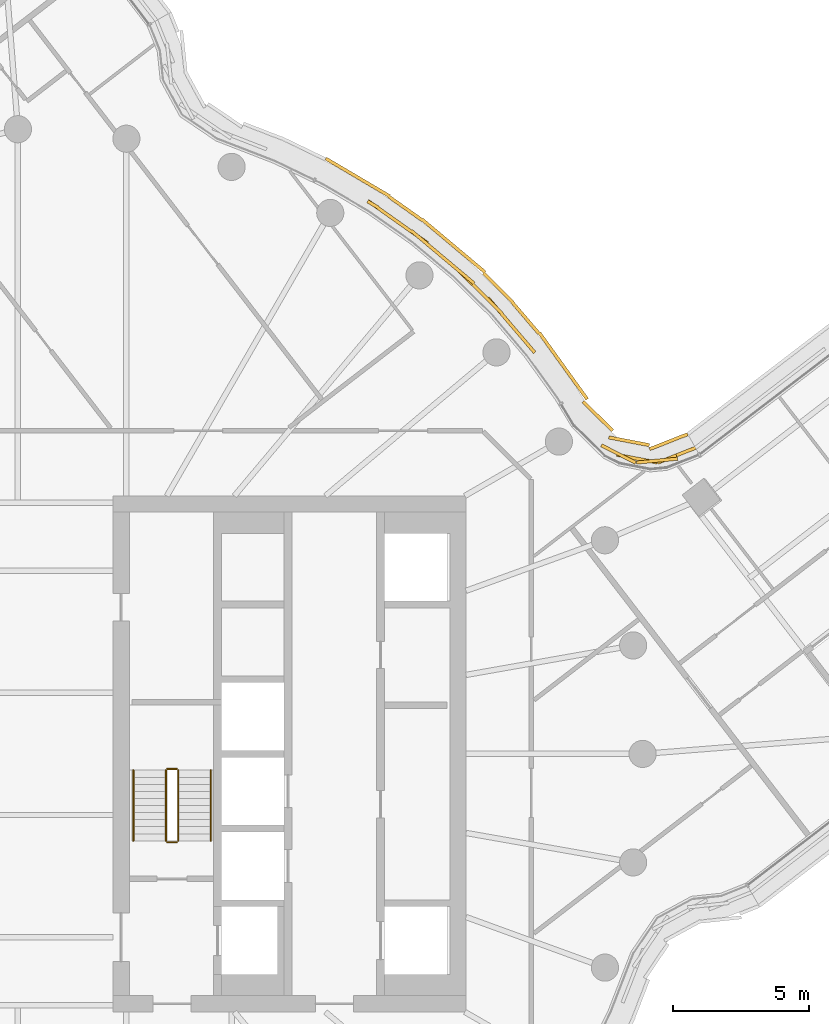
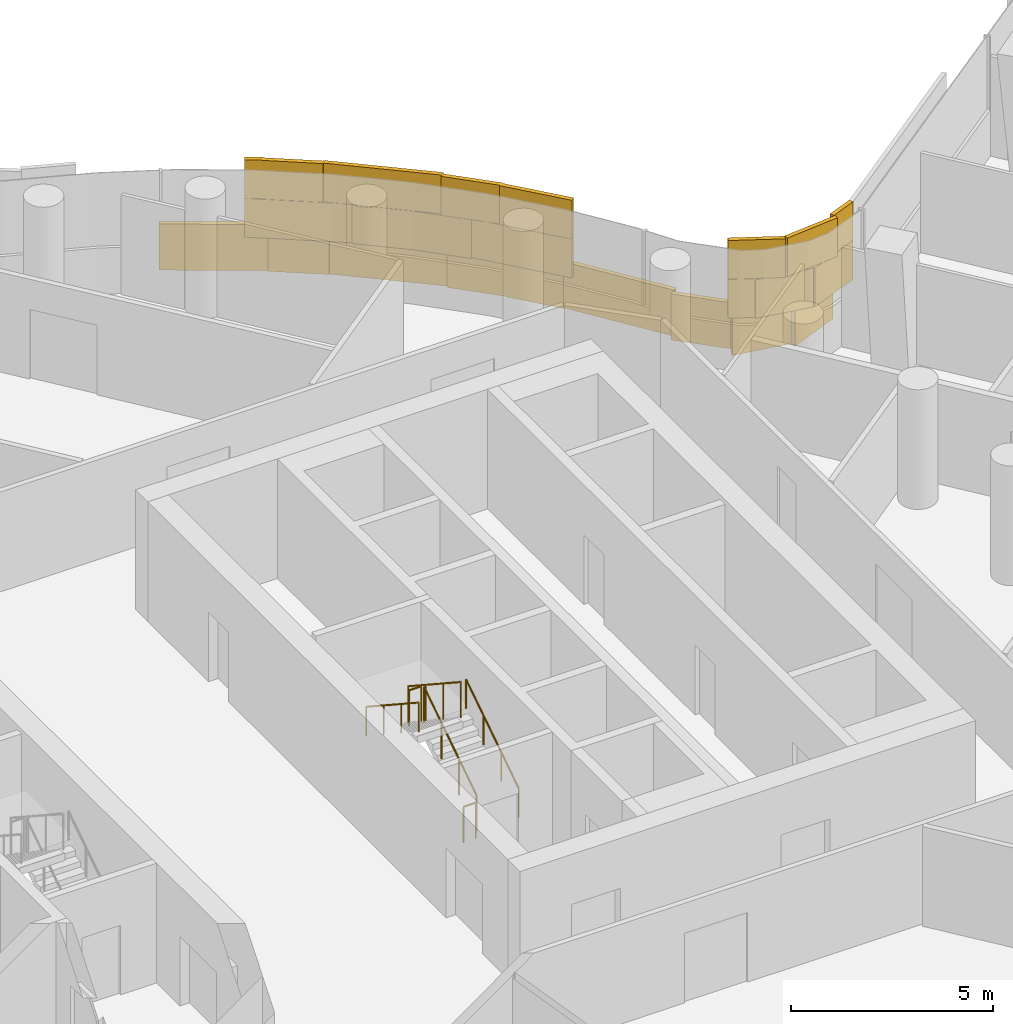
# One storey, part 30 of 33: 6 railings, 1 covering.
"""IFC4 building model written with IfcOpenShell, lengths in metres."""

import ifcopenshell
import ifcopenshell.guid

model = None  # the IFC model being written
_history = None  # IfcOwnerHistory: only IFC2X3 demands one
_inside = {}  # id of a spatial element -> (the spatial element, [elements in it])
_under = {}  # id of a project, library or spatial element -> (it, [spatial elements below it])
_declared = {}  # id of a project -> (the project, [libraries it declares])
_typed = {}  # id of a type object -> (the type object, [elements of that type])
_made_of = {}  # id of a material, layer set ... -> (it, [elements and type objects made of it])


def new_model(schema):
    """Start an empty IFC model of exactly this schema.

    Asked for "IFC4X3", IfcOpenShell would pick the latest addendum, in which some entities
    have other attributes; the version numbers below select the first issue.
    IFC2X3 requires an IfcOwnerHistory on every rooted entity: one is made here for all.
    """
    global model, _history
    if schema == "IFC4X3":
        model = ifcopenshell.file(schema_version=(4, 3, 0, 0))
    else:
        model = ifcopenshell.file(schema=schema)
    _inside.clear()
    _under.clear()
    _declared.clear()
    _typed.clear()
    _made_of.clear()
    _history = None
    if model.schema == "IFC2X3":
        org = make("IfcOrganization", Name="unknown")
        user = make(
            "IfcPersonAndOrganization",
            ThePerson=make("IfcPerson", FamilyName="unknown"),
            TheOrganization=org,
        )
        app = make(
            "IfcApplication",
            ApplicationDeveloper=org,
            Version="unknown",
            ApplicationFullName="unknown",
            ApplicationIdentifier="unknown",
        )
        _history = make(
            "IfcOwnerHistory",
            OwningUser=user,
            OwningApplication=app,
            ChangeAction="ADDED",
            CreationDate=0,
        )
    return model


def make(cls, **values):
    """One entity of the class cls with the attributes given. An attribute that is None is left unset."""
    return model.create_entity(
        cls, **{name: value for name, value in values.items() if value is not None}
    )


def rooted(cls, **values):
    """An entity with a GlobalId (a new one), such as an element, a storey or a relation."""
    return make(cls, GlobalId=ifcopenshell.guid.new(), OwnerHistory=_history, **values)


def si_unit(unit_type, name, prefix=None):
    """IfcSIUnit, for example si_unit("LENGTHUNIT", "METRE", prefix="MILLI")."""
    return make("IfcSIUnit", UnitType=unit_type, Prefix=prefix, Name=name)


def assignment(units):
    """IfcUnitAssignment: the units of a project."""
    return None if units is None else make("IfcUnitAssignment", Units=units)


def point(xyz):
    """IfcCartesianPoint."""
    return None if xyz is None else make("IfcCartesianPoint", Coordinates=xyz)


def direction(xyz):
    """IfcDirection."""
    return None if xyz is None else make("IfcDirection", DirectionRatios=xyz)


def frame(location, z_axis=None, x_axis=None):
    """IfcAxis2Placement3D, a coordinate frame: its origin and axes. An axis left out is left unset."""
    return make(
        "IfcAxis2Placement3D",
        Location=point(location),
        Axis=direction(z_axis),
        RefDirection=direction(x_axis),
    )


def frame_2d(location, x_axis=None):
    """IfcAxis2Placement2D, a coordinate frame in the plane: its origin and x axis."""
    return make(
        "IfcAxis2Placement2D", Location=point(location), RefDirection=direction(x_axis)
    )


def origin():
    """The frame at (0, 0, 0) with its axes left unset."""
    return frame((0.0, 0.0, 0.0))


def origin_2d():
    """The frame at (0, 0) in the plane with its x axis left unset."""
    return frame_2d((0.0, 0.0))


def place(relative_to, where):
    """IfcLocalPlacement: puts the frame where relative to a parent placement (None: the world)."""
    return make(
        "IfcLocalPlacement", PlacementRelTo=relative_to, RelativePlacement=where
    )


def context(
    kind, dimensions, precision=None, world=None, true_north=None, identifier=None
):
    """IfcGeometricRepresentationContext, for example the 3D "Model" context."""
    return make(
        "IfcGeometricRepresentationContext",
        ContextIdentifier=identifier,
        ContextType=kind,
        CoordinateSpaceDimension=dimensions,
        Precision=precision,
        WorldCoordinateSystem=world,
        TrueNorth=true_north,
    )


def subcontext(parent, identifier, kind, view, scale=None):
    """IfcGeometricRepresentationSubContext, for example "Body" below "Model"."""
    return make(
        "IfcGeometricRepresentationSubContext",
        ContextIdentifier=identifier,
        ContextType=kind,
        ParentContext=parent,
        TargetScale=scale,
        TargetView=view,
    )


def project(units=None, contexts=None):
    """IfcProject with its units and contexts."""
    return rooted(
        "IfcProject",
        Name="project",
        RepresentationContexts=contexts,
        UnitsInContext=assignment(units),
    )


def spatial(cls, under=None, at=None, **own):
    """A site, building, storey or space (cls), placed at a placement, below another one or the project."""
    s = rooted(cls, ObjectPlacement=at, **own)
    if under is not None:
        _under.setdefault(under.id(), (under, []))[1].append(s)
    return s


def profile(cls, at=None, kind="AREA", **sizes):
    """A parametric profile (cls). Its sizes go by their IFC names, for example OverallWidth=200.0."""
    return make(cls, ProfileType=kind, Position=at, **sizes)


def rectangle(**sizes):
    """IfcRectangleProfileDef."""
    return profile("IfcRectangleProfileDef", **sizes)


def circle(**sizes):
    """IfcCircleProfileDef."""
    return profile("IfcCircleProfileDef", **sizes)


def extrude(swept, where, along, depth):
    """IfcExtrudedAreaSolid: the profile swept, set in the frame where, extruded along a direction by depth."""
    return make(
        "IfcExtrudedAreaSolid",
        SweptArea=swept,
        Position=where,
        ExtrudedDirection=direction(along),
        Depth=depth,
    )


def shape(context_of_items, identifier, shape_type, items):
    """IfcShapeRepresentation: the items that make up one representation, for example the "Body"."""
    return make(
        "IfcShapeRepresentation",
        ContextOfItems=context_of_items,
        RepresentationIdentifier=identifier,
        RepresentationType=shape_type,
        Items=items,
    )


def material(Name=None, Category=None):
    """IfcMaterial."""
    return make("IfcMaterial", Name=Name, Category=Category)


def layer(
    of_material, thickness, ventilated=None, Name=None, Category=None, Priority=None
):
    """IfcMaterialLayer: one layer of a wall or slab, of a material (None: an air gap)."""
    return make(
        "IfcMaterialLayer",
        Material=of_material,
        LayerThickness=thickness,
        IsVentilated=ventilated,
        Name=Name,
        Category=Category,
        Priority=Priority,
    )


def layer_set(layers, Name=None):
    """IfcMaterialLayerSet."""
    return make("IfcMaterialLayerSet", MaterialLayers=layers, LayerSetName=Name)


def made_of(thing, what):
    """Note that an element or type object is made of a material, layer set ...; save() writes the relation."""
    if what is not None:
        _made_of.setdefault(what.id(), (what, []))[1].append(thing)
    return thing


def type_object(cls, material=None, **own):
    """A type object (cls), such as IfcWallType, which elements share."""
    return made_of(rooted(cls, **own), material)


def element(
    cls,
    number,
    at=None,
    inside=None,
    cuts=None,
    type_object=None,
    material=None,
    context=None,
    identifier="Body",
    shape_type=None,
    held_by="IfcProductDefinitionShape",
    body=None,
    shapes=None,
    **own,
):
    """One element of the class cls, such as IfcWall. Its Tag is "e" and its number.

    at: its placement. inside: the storey or other place that contains it. cuts: it is an
    opening in that element (IfcRelVoidsElement). A single representation is given by context,
    identifier, shape_type and body (its items); several are given by shapes. held_by: the class
    of the entity that holds the representations. save() writes the other relations.
    """
    e = rooted(cls, Tag="e%d" % number, ObjectPlacement=at, **own)
    if body is not None:
        shapes = [shape(context, identifier, shape_type, body)]
    if shapes is not None:
        e.Representation = make(held_by, Representations=shapes)
    if inside is not None:
        _inside.setdefault(inside.id(), (inside, []))[1].append(e)
    if cuts is not None:
        rooted(
            "IfcRelVoidsElement", RelatingBuildingElement=cuts, RelatedOpeningElement=e
        )
    if type_object is not None:
        _typed.setdefault(type_object.id(), (type_object, []))[1].append(e)
    return made_of(e, material)


def aggregate(whole, parts):
    """IfcRelAggregates: a whole, such as a stair, and the parts it consists of."""
    return rooted("IfcRelAggregates", RelatingObject=whole, RelatedObjects=parts)


def save(model, path):
    """Write the relations noted so far, then the file.

    IfcRelAggregates (storeys below a building ...), IfcRelContainedInSpatialStructure (elements
    in a storey), IfcRelDefinesByType, IfcRelAssociatesMaterial and IfcRelDeclares: one each for
    every whole, place, type object, material and project.
    """
    for whole, parts in _under.values():
        aggregate(whole, parts)
    for where, things in _inside.values():
        rooted(
            "IfcRelContainedInSpatialStructure",
            RelatedElements=things,
            RelatingStructure=where,
        )
    for kind, things in _typed.values():
        rooted("IfcRelDefinesByType", RelatedObjects=things, RelatingType=kind)
    for what, things in _made_of.values():
        rooted("IfcRelAssociatesMaterial", RelatedObjects=things, RelatingMaterial=what)
    for by, libraries in _declared.values():
        rooted("IfcRelDeclares", RelatingContext=by, RelatedDefinitions=libraries)
    model.write(path)


model = new_model("IFC4")

# Units and contexts
model_context = context("Model", 3, precision=1e-05, world=origin(), true_north=direction((0.0, 1.0)))
body_context = subcontext(model_context, "Body", "Model", "MODEL_VIEW")
ifc_project = project(units=[si_unit("LENGTHUNIT", "METRE"), si_unit("AREAUNIT", "SQUARE_METRE"), si_unit("VOLUMEUNIT", "CUBIC_METRE"), si_unit("PLANEANGLEUNIT", "RADIAN"), si_unit("MASSUNIT", "GRAM", prefix="KILO")], contexts=[model_context])

# Site, building, storey
site_placement = place(None, origin())
site = spatial("IfcSite", under=ifc_project, at=site_placement, CompositionType="ELEMENT")
building_placement = place(site_placement, origin())
building = spatial("IfcBuilding", under=site, at=building_placement, Name="Tamarind Cross Interchange Tower", CompositionType="ELEMENT")
storey_placement = place(building_placement, frame((0.0, 0.0, 170.5)))
storey = spatial("IfcBuildingStorey", under=building, at=storey_placement, Name="L42", CompositionType="ELEMENT", Elevation=170.5)

# Railings
ifc_material_1 = material(Name="Stair guard")
railing_type_1 = type_object("IfcRailingType", Name="Stair guard", PredefinedType="GUARDRAIL", material=ifc_material_1)
railing_1_placement = place(storey_placement, frame((5.89990234375, -3.199951171875, 0.17041015625)))
element("IfcRailing", 1, at=railing_1_placement, inside=storey, type_object=railing_type_1, Name="L42 ST2 stair guard 1", PredefinedType="GUARDRAIL", context=body_context, shape_type="SweptSolid", body=[
    extrude(circle(Radius=0.02392578125, at=origin_2d()), frame((0.0, 0.0, 1.076171875), z_axis=(0.0, 0.836278606002, 0.548304744775), x_axis=(-1.0, 0.0, 0.0)), (0.0, 0.0, 1.0), 3.10888671875),
    extrude(circle(Radius=0.02099609375, at=origin_2d()), origin(), (0.0, 0.0, 1.0), 1.052001953125),
    extrude(circle(Radius=0.02099609375, at=origin_2d()), frame((0.0, 0.86669921875, 0.568115234375)), (0.0, 0.0, 1.0), 1.052001953125),
    extrude(circle(Radius=0.02099609375, at=origin_2d()), frame((0.0, 1.733154296875, 1.136474609375)), (0.0, 0.0, 1.0), 1.052001953125),
    extrude(circle(Radius=0.02099609375, at=origin_2d()), frame((0.0, 2.599853515625, 1.70458984375)), (0.0, 0.0, 1.0), 1.052001953125),
])
railing_2_placement = place(storey_placement, frame((5.85009765625, -0.550048828125, 1.875)))
element("IfcRailing", 2, at=railing_2_placement, inside=storey, type_object=railing_type_1, Name="L42 ST2 stair guard 2", PredefinedType="GUARDRAIL", context=body_context, shape_type="SweptSolid", body=[
    extrude(circle(Radius=0.02392578125, at=origin_2d()), frame((0.0, 0.0, 1.076171875), z_axis=(-1.0, 0.0, 0.0), x_axis=(0.0, -1.0, 0.0)), (0.0, 0.0, 1.0), 0.35009765625),
    extrude(circle(Radius=0.02099609375, at=origin_2d()), origin(), (0.0, 0.0, 1.0), 1.052001953125),
    extrude(circle(Radius=0.02099609375, at=origin_2d()), frame((-0.35009765625, 0.0, 0.0)), (0.0, 0.0, 1.0), 1.052001953125),
])
railing_3_placement = place(storey_placement, frame((5.449951171875, -0.60009765625, 2.04541015625)))
element("IfcRailing", 3, at=railing_3_placement, inside=storey, type_object=railing_type_1, Name="L42 ST2 stair guard 3", PredefinedType="GUARDRAIL", context=body_context, shape_type="SweptSolid", body=[
    extrude(circle(Radius=0.02392578125, at=origin_2d()), frame((0.0, 0.0, 1.076171875), z_axis=(0.0, -0.836278606002, 0.548304744775), x_axis=(1.0, 0.0, 0.0)), (0.0, 0.0, 1.0), 3.10888671875),
    extrude(circle(Radius=0.02099609375, at=origin_2d()), origin(), (0.0, 0.0, 1.0), 1.052001953125),
    extrude(circle(Radius=0.02099609375, at=origin_2d()), frame((0.0, -0.86669921875, 0.568115234375)), (0.0, 0.0, 1.0), 1.052001953125),
    extrude(circle(Radius=0.02099609375, at=origin_2d()), frame((0.0, -1.733154296875, 1.136474609375)), (0.0, 0.0, 1.0), 1.052001953125),
    extrude(circle(Radius=0.02099609375, at=origin_2d()), frame((0.0, -2.599853515625, 1.70458984375)), (0.0, 0.0, 1.0), 1.052001953125),
])
railing_4_placement = place(storey_placement, frame((5.85009765625, -3.25, 0.0)))
element("IfcRailing", 4, at=railing_4_placement, inside=storey, type_object=railing_type_1, Name="L42 ST2 stair guard 4", PredefinedType="GUARDRAIL", context=body_context, shape_type="SweptSolid", body=[
    extrude(circle(Radius=0.02392578125, at=origin_2d()), frame((0.0, 0.0, 1.076171875), z_axis=(-1.0, 0.0, 0.0), x_axis=(0.0, -1.0, 0.0)), (0.0, 0.0, 1.0), 0.35009765625),
    extrude(circle(Radius=0.02099609375, at=origin_2d()), origin(), (0.0, 0.0, 1.0), 1.052001953125),
    extrude(circle(Radius=0.02099609375, at=origin_2d()), frame((-0.35009765625, 0.0, 0.0)), (0.0, 0.0, 1.0), 1.052001953125),
])
ifc_material_2 = material(Name="Stair handrail")
railing_type_2 = type_object("IfcRailingType", Name="Stair handrail", PredefinedType="HANDRAIL", material=ifc_material_2)
railing_5_placement = place(storey_placement, frame((7.10009765625, -3.199951171875, 0.17041015625)))
element("IfcRailing", 5, at=railing_5_placement, inside=storey, type_object=railing_type_2, Name="L42 ST2 stair handrail 1", PredefinedType="HANDRAIL", context=body_context, shape_type="SweptSolid", body=[
    extrude(circle(Radius=0.02392578125, at=origin_2d()), frame((0.0, 0.0, 0.8759765625), z_axis=(0.0, 0.836278606002, 0.548304744775), x_axis=(-1.0, 0.0, 0.0)), (0.0, 0.0, 1.0), 3.10888671875),
    extrude(circle(Radius=0.02099609375, at=origin_2d()), origin(), (0.0, 0.0, 1.0), 0.851806640625),
    extrude(circle(Radius=0.02099609375, at=origin_2d()), frame((0.0, 0.86669921875, 0.568115234375)), (0.0, 0.0, 1.0), 0.851806640625),
    extrude(circle(Radius=0.02099609375, at=origin_2d()), frame((0.0, 1.733154296875, 1.136474609375)), (0.0, 0.0, 1.0), 0.851806640625),
    extrude(circle(Radius=0.02099609375, at=origin_2d()), frame((0.0, 2.599853515625, 1.70458984375)), (0.0, 0.0, 1.0), 0.851806640625),
])
railing_6_placement = place(storey_placement, frame((4.25, -0.60009765625, 2.04541015625)))
element("IfcRailing", 6, at=railing_6_placement, inside=storey, type_object=railing_type_2, Name="L42 ST2 stair handrail 2", PredefinedType="HANDRAIL", context=body_context, shape_type="SweptSolid", body=[
    extrude(circle(Radius=0.02392578125, at=origin_2d()), frame((0.0, 0.0, 0.8759765625), z_axis=(0.0, -0.836278606002, 0.548304744775), x_axis=(1.0, 0.0, 0.0)), (0.0, 0.0, 1.0), 3.10888671875),
    extrude(circle(Radius=0.02099609375, at=origin_2d()), origin(), (0.0, 0.0, 1.0), 0.851806640625),
    extrude(circle(Radius=0.02099609375, at=origin_2d()), frame((0.0, -0.86669921875, 0.568115234375)), (0.0, 0.0, 1.0), 0.851806640625),
    extrude(circle(Radius=0.02099609375, at=origin_2d()), frame((0.0, -1.733154296875, 1.136474609375)), (0.0, 0.0, 1.0), 0.851806640625),
    extrude(circle(Radius=0.02099609375, at=origin_2d()), frame((0.0, -2.599853515625, 1.70458984375)), (0.0, 0.0, 1.0), 0.851806640625),
])

# Covering
ifc_material_3 = material(Name="Terracotta", Category="masonry")
ifc_layer = layer(ifc_material_3, 0.1201171875)
ifc_layer_set = layer_set([ifc_layer], Name="Terracotta")
covering_type = type_object("IfcCoveringType", Name="Terracotta baguette screen unit", PredefinedType="MOLDING", material=ifc_layer_set)
covering_placement = place(storey_placement, origin())
element("IfcCovering", 7, at=covering_placement, inside=storey, type_object=covering_type, Name="SCR-L42-02-00", PredefinedType="MOLDING", context=body_context, shape_type="SweptSolid", body=[
    extrude(rectangle(XDim=1.510009765625, YDim=0.1201171875, at=origin_2d()), frame((24.248291015625, 10.9951171875, 1.404052734375), z_axis=(0.0, 0.0, 1.0), x_axis=(-0.930573696468, -0.366104623629, 0.0)), (0.0, 0.0, 1.0), 1.1669921875),
    extrude(rectangle(XDim=1.52001953125, YDim=0.1201171875, at=origin_2d()), frame((22.7919921875, 10.87158203125, 1.404052734375), z_axis=(0.0, 0.0, 1.0), x_axis=(-0.982290968487, 0.187361824363, 0.0)), (0.0, 0.0, 1.0), 1.1669921875),
    extrude(rectangle(XDim=0.6689453125, YDim=0.1201171875, at=origin_2d()), frame((21.778564453125, 11.21142578125, 1.404052734375), z_axis=(0.0, 0.0, 1.0), x_axis=(-0.891512414684, 0.45299626319, 0.0)), (0.0, 0.0, 1.0), 1.1669921875),
    extrude(rectangle(XDim=1.151123046875, YDim=0.1201171875, at=origin_2d()), frame((18.654541015625, 15.213623046875, 1.404052734375), z_axis=(0.0, 0.0, 1.0), x_axis=(-0.64957723968, 0.760295606781, 0.0)), (0.0, 0.0, 1.0), 1.1669921875),
    extrude(rectangle(XDim=1.52001953125, YDim=0.1201171875, at=origin_2d()), frame((17.796875, 16.2177734375, 1.404052734375), z_axis=(0.0, 0.0, 1.0), x_axis=(-0.64957723968, 0.760295606781, 0.0)), (0.0, 0.0, 1.0), 1.1669921875),
    extrude(rectangle(XDim=1.52001953125, YDim=0.1201171875, at=origin_2d()), frame((16.7451171875, 17.286376953125, 1.404052734375), z_axis=(0.0, 0.0, 1.0), x_axis=(-0.710143317658, 0.704057148523, 0.0)), (0.0, 0.0, 1.0), 1.1669921875),
    extrude(rectangle(XDim=1.52001953125, YDim=0.1201171875, at=origin_2d()), frame((15.636474609375, 18.294677734375, 1.404052734375), z_axis=(0.0, 0.0, 1.0), x_axis=(-0.765858396687, 0.643009266048, 0.0)), (0.0, 0.0, 1.0), 1.1669921875),
    extrude(rectangle(XDim=1.52001953125, YDim=0.1201171875, at=origin_2d()), frame((14.47265625, 19.239990234375, 1.404052734375), z_axis=(0.0, 0.0, 1.0), x_axis=(-0.816341886298, 0.577568978284, 0.0)), (0.0, 0.0, 1.0), 1.1669921875),
    extrude(rectangle(XDim=1.198486328125, YDim=0.1201171875, at=origin_2d()), frame((13.37548828125, 20.016357421875, 1.404052734375), z_axis=(0.0, 0.0, 1.0), x_axis=(-0.816341886298, 0.577568978284, 0.0)), (0.0, 0.0, 1.0), 1.1669921875),
    extrude(rectangle(XDim=0.760009765625, YDim=0.1201171875, at=origin_2d()), frame((24.59716796875, 11.13232421875, 2.5791015625), z_axis=(0.0, 0.0, 1.0), x_axis=(-0.930573696468, -0.366104623629, 0.0)), (0.0, 0.0, 1.0), 1.1669921875),
    extrude(rectangle(XDim=1.52001953125, YDim=0.1201171875, at=origin_2d()), frame((23.531982421875, 10.797607421875, 2.5791015625), z_axis=(0.0, 0.0, 1.0), x_axis=(-0.99566263557, -0.093037176066, 0.0)), (0.0, 0.0, 1.0), 1.1669921875),
    extrude(rectangle(XDim=1.4189453125, YDim=0.1201171875, at=origin_2d()), frame((22.113037109375, 11.04150390625, 2.5791015625), z_axis=(0.0, 0.0, 1.0), x_axis=(-0.891512414684, 0.45299626319, 0.0)), (0.0, 0.0, 1.0), 1.1669921875),
    extrude(rectangle(XDim=0.401123046875, YDim=0.1201171875, at=origin_2d()), frame((18.898193359375, 14.928466796875, 2.5791015625), z_axis=(0.0, 0.0, 1.0), x_axis=(-0.64957723968, 0.760295606781, 0.0)), (0.0, 0.0, 1.0), 1.1669921875),
    extrude(rectangle(XDim=1.52001953125, YDim=0.1201171875, at=origin_2d()), frame((18.283935546875, 15.6474609375, 2.5791015625), z_axis=(0.0, 0.0, 1.0), x_axis=(-0.64957723968, 0.760295606781, 0.0)), (0.0, 0.0, 1.0), 1.1669921875),
    extrude(rectangle(XDim=1.52001953125, YDim=0.1201171875, at=origin_2d()), frame((17.27783203125, 16.75830078125, 2.5791015625), z_axis=(0.0, 0.0, 1.0), x_axis=(-0.710143317658, 0.704057148523, 0.0)), (0.0, 0.0, 1.0), 1.1669921875),
    extrude(rectangle(XDim=1.52001953125, YDim=0.1201171875, at=origin_2d()), frame((16.210693359375, 17.8125, 2.5791015625), z_axis=(0.0, 0.0, 1.0), x_axis=(-0.765858396687, 0.643009266048, 0.0)), (0.0, 0.0, 1.0), 1.1669921875),
    extrude(rectangle(XDim=1.52001953125, YDim=0.1201171875, at=origin_2d()), frame((15.06201171875, 18.77685546875, 2.5791015625), z_axis=(0.0, 0.0, 1.0), x_axis=(-0.765858396687, 0.643009266048, 0.0)), (0.0, 0.0, 1.0), 1.1669921875),
    extrude(rectangle(XDim=1.52001953125, YDim=0.1201171875, at=origin_2d()), frame((13.860595703125, 19.673095703125, 2.5791015625), z_axis=(0.0, 0.0, 1.0), x_axis=(-0.816341886298, 0.577568978284, 0.0)), (0.0, 0.0, 1.0), 1.1669921875),
    extrude(rectangle(XDim=0.448486328125, YDim=0.1201171875, at=origin_2d()), frame((13.068359375, 20.2314453125, 2.5791015625), z_axis=(0.0, 0.0, 1.0), x_axis=(-0.861248933065, 0.508183308752, 0.0)), (0.0, 0.0, 1.0), 1.1669921875),
    extrude(rectangle(XDim=1.510009765625, YDim=0.1201171875, at=origin_2d()), frame((23.95849609375, 11.497802734375, 0.00390625), z_axis=(0.0, 0.0, 1.0), x_axis=(-0.930573696468, -0.366104623629, 0.0)), (0.0, 0.0, 1.0), 1.39208984375),
    extrude(rectangle(XDim=1.52001953125, YDim=0.1201171875, at=origin_2d()), frame((22.500732421875, 11.511474609375, 0.00390625), z_axis=(0.0, 0.0, 1.0), x_axis=(-0.982290968487, 0.187361824363, 0.0)), (0.0, 0.0, 1.0), 1.39208984375),
    extrude(rectangle(XDim=1.52001953125, YDim=0.1201171875, at=origin_2d()), frame((21.349365234375, 12.439208984375, 0.00390625), z_axis=(0.0, 0.0, 1.0), x_axis=(-0.712624026466, 0.70154614738, 0.0)), (0.0, 0.0, 1.0), 1.39208984375),
    extrude(rectangle(XDim=1.52001953125, YDim=0.1201171875, at=origin_2d()), frame((20.51416015625, 13.67724609375, 0.00390625), z_axis=(0.0, 0.0, 1.0), x_axis=(-0.584573890505, 0.811340475102, 0.0)), (0.0, 0.0, 1.0), 1.39208984375),
    extrude(rectangle(XDim=1.52001953125, YDim=0.1201171875, at=origin_2d()), frame((19.637451171875, 14.894287109375, 0.00390625), z_axis=(0.0, 0.0, 1.0), x_axis=(-0.584573890505, 0.811340475102, 0.0)), (0.0, 0.0, 1.0), 1.39208984375),
    extrude(rectangle(XDim=1.52001953125, YDim=0.1201171875, at=origin_2d()), frame((18.68994140625, 16.055908203125, 0.00390625), z_axis=(0.0, 0.0, 1.0), x_axis=(-0.64957723968, 0.760295606781, 0.0)), (0.0, 0.0, 1.0), 1.39208984375),
    extrude(rectangle(XDim=1.52001953125, YDim=0.1201171875, at=origin_2d()), frame((17.682373046875, 17.16552734375, 0.00390625), z_axis=(0.0, 0.0, 1.0), x_axis=(-0.710143317658, 0.704057148523, 0.0)), (0.0, 0.0, 1.0), 1.39208984375),
    extrude(rectangle(XDim=1.52001953125, YDim=0.1201171875, at=origin_2d()), frame((16.61669921875, 18.22119140625, 0.00390625), z_axis=(0.0, 0.0, 1.0), x_axis=(-0.765858396687, 0.643009266048, 0.0)), (0.0, 0.0, 1.0), 1.39208984375),
    extrude(rectangle(XDim=1.52001953125, YDim=0.1201171875, at=origin_2d()), frame((15.4677734375, 19.185546875, 0.00390625), z_axis=(0.0, 0.0, 1.0), x_axis=(-0.765858396687, 0.643009266048, 0.0)), (0.0, 0.0, 1.0), 1.39208984375),
    extrude(rectangle(XDim=1.52001953125, YDim=0.1201171875, at=origin_2d()), frame((14.27001953125, 20.086669921875, 0.00390625), z_axis=(0.0, 0.0, 1.0), x_axis=(-0.816341886298, 0.577568978284, 0.0)), (0.0, 0.0, 1.0), 1.39208984375),
    extrude(rectangle(XDim=1.52001953125, YDim=0.1201171875, at=origin_2d()), frame((13.026123046875, 20.9228515625, 0.00390625), z_axis=(0.0, 0.0, 1.0), x_axis=(-0.861248933065, 0.508183308752, 0.0)), (0.0, 0.0, 1.0), 1.39208984375),
    extrude(rectangle(XDim=1.223388671875, YDim=0.1201171875, at=origin_2d()), frame((11.86181640625, 21.60986328125, 0.00390625), z_axis=(0.0, 0.0, 1.0), x_axis=(-0.861248933065, 0.508183308752, 0.0)), (0.0, 0.0, 1.0), 1.39208984375),
])

save(model, "model.ifc")
